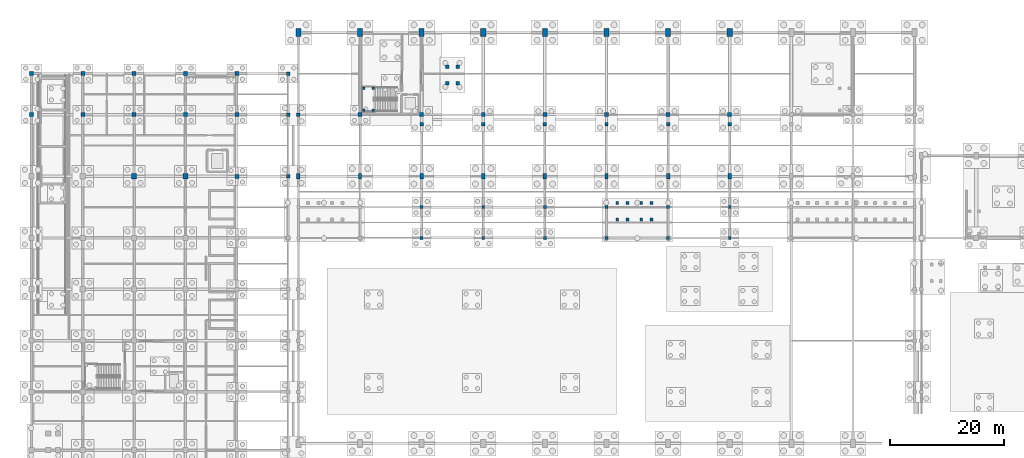
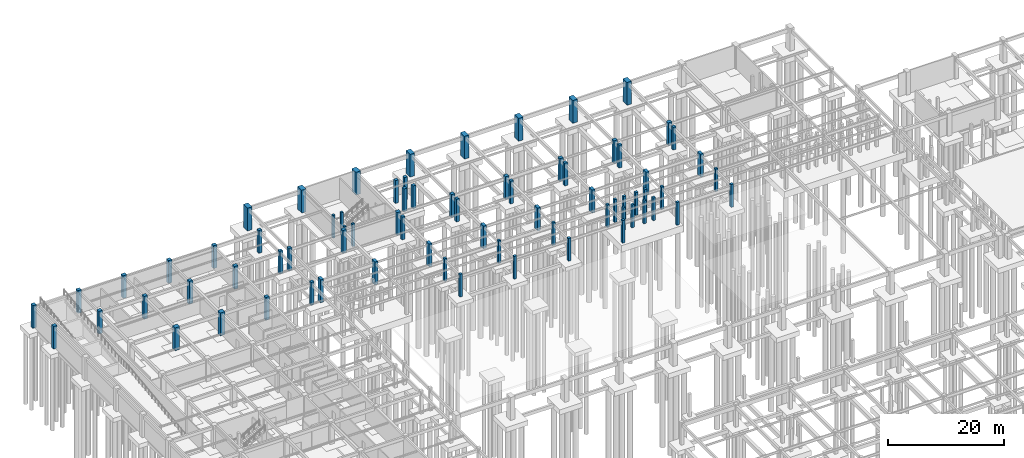
# One storey, part 12 of 33: 74 columns.
"""IFC4 building model written with IfcOpenShell, lengths in metres."""

import ifcopenshell
import ifcopenshell.guid

model = None  # the IFC model being written
_history = None  # IfcOwnerHistory: only IFC2X3 demands one
_inside = {}  # id of a spatial element -> (the spatial element, [elements in it])
_under = {}  # id of a project, library or spatial element -> (it, [spatial elements below it])
_declared = {}  # id of a project -> (the project, [libraries it declares])
_typed = {}  # id of a type object -> (the type object, [elements of that type])
_made_of = {}  # id of a material, layer set ... -> (it, [elements and type objects made of it])


def new_model(schema):
    """Start an empty IFC model of exactly this schema.

    Asked for "IFC4X3", IfcOpenShell would pick the latest addendum, in which some entities
    have other attributes; the version numbers below select the first issue.
    IFC2X3 requires an IfcOwnerHistory on every rooted entity: one is made here for all.
    """
    global model, _history
    if schema == "IFC4X3":
        model = ifcopenshell.file(schema_version=(4, 3, 0, 0))
    else:
        model = ifcopenshell.file(schema=schema)
    _inside.clear()
    _under.clear()
    _declared.clear()
    _typed.clear()
    _made_of.clear()
    _history = None
    if model.schema == "IFC2X3":
        org = make("IfcOrganization", Name="unknown")
        user = make(
            "IfcPersonAndOrganization",
            ThePerson=make("IfcPerson", FamilyName="unknown"),
            TheOrganization=org,
        )
        app = make(
            "IfcApplication",
            ApplicationDeveloper=org,
            Version="unknown",
            ApplicationFullName="unknown",
            ApplicationIdentifier="unknown",
        )
        _history = make(
            "IfcOwnerHistory",
            OwningUser=user,
            OwningApplication=app,
            ChangeAction="ADDED",
            CreationDate=0,
        )
    return model


def make(cls, **values):
    """One entity of the class cls with the attributes given. An attribute that is None is left unset."""
    return model.create_entity(
        cls, **{name: value for name, value in values.items() if value is not None}
    )


def rooted(cls, **values):
    """An entity with a GlobalId (a new one), such as an element, a storey or a relation."""
    return make(cls, GlobalId=ifcopenshell.guid.new(), OwnerHistory=_history, **values)


def si_unit(unit_type, name, prefix=None):
    """IfcSIUnit, for example si_unit("LENGTHUNIT", "METRE", prefix="MILLI")."""
    return make("IfcSIUnit", UnitType=unit_type, Prefix=prefix, Name=name)


def assignment(units):
    """IfcUnitAssignment: the units of a project."""
    return None if units is None else make("IfcUnitAssignment", Units=units)


def point(xyz):
    """IfcCartesianPoint."""
    return None if xyz is None else make("IfcCartesianPoint", Coordinates=xyz)


def direction(xyz):
    """IfcDirection."""
    return None if xyz is None else make("IfcDirection", DirectionRatios=xyz)


def frame(location, z_axis=None, x_axis=None):
    """IfcAxis2Placement3D, a coordinate frame: its origin and axes. An axis left out is left unset."""
    return make(
        "IfcAxis2Placement3D",
        Location=point(location),
        Axis=direction(z_axis),
        RefDirection=direction(x_axis),
    )


def frame_2d(location, x_axis=None):
    """IfcAxis2Placement2D, a coordinate frame in the plane: its origin and x axis."""
    return make(
        "IfcAxis2Placement2D", Location=point(location), RefDirection=direction(x_axis)
    )


def origin():
    """The frame at (0, 0, 0) with its axes left unset."""
    return frame((0.0, 0.0, 0.0))


def origin_2d():
    """The frame at (0, 0) in the plane with its x axis left unset."""
    return frame_2d((0.0, 0.0))


def place(relative_to, where):
    """IfcLocalPlacement: puts the frame where relative to a parent placement (None: the world)."""
    return make(
        "IfcLocalPlacement", PlacementRelTo=relative_to, RelativePlacement=where
    )


def context(
    kind, dimensions, precision=None, world=None, true_north=None, identifier=None
):
    """IfcGeometricRepresentationContext, for example the 3D "Model" context."""
    return make(
        "IfcGeometricRepresentationContext",
        ContextIdentifier=identifier,
        ContextType=kind,
        CoordinateSpaceDimension=dimensions,
        Precision=precision,
        WorldCoordinateSystem=world,
        TrueNorth=true_north,
    )


def subcontext(parent, identifier, kind, view, scale=None):
    """IfcGeometricRepresentationSubContext, for example "Body" below "Model"."""
    return make(
        "IfcGeometricRepresentationSubContext",
        ContextIdentifier=identifier,
        ContextType=kind,
        ParentContext=parent,
        TargetScale=scale,
        TargetView=view,
    )


def project(units=None, contexts=None):
    """IfcProject with its units and contexts."""
    return rooted(
        "IfcProject",
        Name="project",
        RepresentationContexts=contexts,
        UnitsInContext=assignment(units),
    )


def spatial(cls, under=None, at=None, **own):
    """A site, building, storey or space (cls), placed at a placement, below another one or the project."""
    s = rooted(cls, ObjectPlacement=at, **own)
    if under is not None:
        _under.setdefault(under.id(), (under, []))[1].append(s)
    return s


def profile(cls, at=None, kind="AREA", **sizes):
    """A parametric profile (cls). Its sizes go by their IFC names, for example OverallWidth=200.0."""
    return make(cls, ProfileType=kind, Position=at, **sizes)


def rectangle(**sizes):
    """IfcRectangleProfileDef."""
    return profile("IfcRectangleProfileDef", **sizes)


def extrude(swept, where, along, depth):
    """IfcExtrudedAreaSolid: the profile swept, set in the frame where, extruded along a direction by depth."""
    return make(
        "IfcExtrudedAreaSolid",
        SweptArea=swept,
        Position=where,
        ExtrudedDirection=direction(along),
        Depth=depth,
    )


def shape(context_of_items, identifier, shape_type, items):
    """IfcShapeRepresentation: the items that make up one representation, for example the "Body"."""
    return make(
        "IfcShapeRepresentation",
        ContextOfItems=context_of_items,
        RepresentationIdentifier=identifier,
        RepresentationType=shape_type,
        Items=items,
    )


def material(Name=None, Category=None):
    """IfcMaterial."""
    return make("IfcMaterial", Name=Name, Category=Category)


def material_profile(
    of_material, cross_section, Name=None, Category=None, Priority=None
):
    """IfcMaterialProfile: a cross section and its material."""
    return make(
        "IfcMaterialProfile",
        Name=Name,
        Material=of_material,
        Profile=cross_section,
        Priority=Priority,
        Category=Category,
    )


def profile_set(profiles, Name=None, composite=None):
    """IfcMaterialProfileSet."""
    return make(
        "IfcMaterialProfileSet",
        Name=Name,
        MaterialProfiles=profiles,
        CompositeProfile=composite,
    )


def made_of(thing, what):
    """Note that an element or type object is made of a material, layer set ...; save() writes the relation."""
    if what is not None:
        _made_of.setdefault(what.id(), (what, []))[1].append(thing)
    return thing


def type_object(cls, material=None, **own):
    """A type object (cls), such as IfcWallType, which elements share."""
    return made_of(rooted(cls, **own), material)


def element(
    cls,
    number,
    at=None,
    inside=None,
    cuts=None,
    type_object=None,
    material=None,
    context=None,
    identifier="Body",
    shape_type=None,
    held_by="IfcProductDefinitionShape",
    body=None,
    shapes=None,
    **own,
):
    """One element of the class cls, such as IfcWall. Its Tag is "e" and its number.

    at: its placement. inside: the storey or other place that contains it. cuts: it is an
    opening in that element (IfcRelVoidsElement). A single representation is given by context,
    identifier, shape_type and body (its items); several are given by shapes. held_by: the class
    of the entity that holds the representations. save() writes the other relations.
    """
    e = rooted(cls, Tag="e%d" % number, ObjectPlacement=at, **own)
    if body is not None:
        shapes = [shape(context, identifier, shape_type, body)]
    if shapes is not None:
        e.Representation = make(held_by, Representations=shapes)
    if inside is not None:
        _inside.setdefault(inside.id(), (inside, []))[1].append(e)
    if cuts is not None:
        rooted(
            "IfcRelVoidsElement", RelatingBuildingElement=cuts, RelatedOpeningElement=e
        )
    if type_object is not None:
        _typed.setdefault(type_object.id(), (type_object, []))[1].append(e)
    return made_of(e, material)


def aggregate(whole, parts):
    """IfcRelAggregates: a whole, such as a stair, and the parts it consists of."""
    return rooted("IfcRelAggregates", RelatingObject=whole, RelatedObjects=parts)


def save(model, path):
    """Write the relations noted so far, then the file.

    IfcRelAggregates (storeys below a building ...), IfcRelContainedInSpatialStructure (elements
    in a storey), IfcRelDefinesByType, IfcRelAssociatesMaterial and IfcRelDeclares: one each for
    every whole, place, type object, material and project.
    """
    for whole, parts in _under.values():
        aggregate(whole, parts)
    for where, things in _inside.values():
        rooted(
            "IfcRelContainedInSpatialStructure",
            RelatedElements=things,
            RelatingStructure=where,
        )
    for kind, things in _typed.values():
        rooted("IfcRelDefinesByType", RelatedObjects=things, RelatingType=kind)
    for what, things in _made_of.values():
        rooted("IfcRelAssociatesMaterial", RelatedObjects=things, RelatingMaterial=what)
    for by, libraries in _declared.values():
        rooted("IfcRelDeclares", RelatingContext=by, RelatedDefinitions=libraries)
    model.write(path)


model = new_model("IFC4")

# Units and contexts
model_context = context("Model", 3, precision=1e-05, world=origin(), true_north=direction((0.0, 1.0)))
body_context = subcontext(model_context, "Body", "Model", "MODEL_VIEW")
ifc_project = project(units=[si_unit("LENGTHUNIT", "METRE"), si_unit("AREAUNIT", "SQUARE_METRE"), si_unit("VOLUMEUNIT", "CUBIC_METRE"), si_unit("PLANEANGLEUNIT", "RADIAN"), si_unit("MASSUNIT", "GRAM", prefix="KILO")], contexts=[model_context])

# Site, building, storey
site_placement = place(None, origin())
site = spatial("IfcSite", under=ifc_project, at=site_placement, CompositionType="ELEMENT")
building_placement = place(site_placement, origin())
building = spatial("IfcBuilding", under=site, at=building_placement, Name="Suirenkawa Promenade Aquatics Centre", CompositionType="ELEMENT")
storey_placement = place(building_placement, frame((0.0, 0.0, -4.800048828125)))
storey = spatial("IfcBuildingStorey", under=building, at=storey_placement, Name="B1", CompositionType="ELEMENT", Elevation=-4.800048828125)

# Columns
ifc_material = material(Name="Concrete M40", Category="concrete")
ifc_material_profile_1 = material_profile(ifc_material, rectangle(XDim=0.60009765625, YDim=1.0, at=origin_2d()), Name="RC PIER 600x1000", Category="concrete")
ifc_profile_set_1 = profile_set([ifc_material_profile_1], Name="Concrete M40")
column_type_1 = type_object("IfcColumnType", Name="CT-PIER-600x1000", PredefinedType="COLUMN", material=ifc_profile_set_1)
for number, where, z_axis, x_axis, name in (
    (1, (46.800048828125, 97.199951171875, 0.0), (0.0, 0.0, 1.0), (1.0, 0.0, 0.0), "Column CL-07 COL-0103"),
    (2, (57.60009765625, 97.199951171875, 0.0), (0.0, 0.0, 1.0), (1.0, 0.0, 0.0), "Column CL-07 COL-0109"),
    (3, (68.39990234375, 97.199951171875, 0.0), (0.0, 0.0, 1.0), (1.0, 0.0, 0.0), "Column CL-07 COL-0112"),
    (4, (79.199951171875, 97.199951171875, 0.0), (0.0, 0.0, 1.0), (1.0, 0.0, 0.0), "Column CL-07 COL-0118"),
    (5, (90.0, 97.199951171875, 0.0), (0.0, 0.0, 1.0), (1.0, 0.0, 0.0), "Column CL-07 COL-0124"),
    (6, (100.800048828125, 97.199951171875, 0.0), (0.0, 0.0, 1.0), (1.0, 0.0, 0.0), "Column CL-07 COL-0130"),
    (7, (111.60009765625, 97.199951171875, 0.0), (0.0, 0.0, 1.0), (1.0, 0.0, 0.0), "Column CL-07 COL-0133"),
    (8, (122.39990234375, 97.199951171875, 0.0), (0.0, 0.0, 1.0), (1.0, 0.0, 0.0), "Column CL-07 COL-0139"),
):
    element("IfcColumn", number, at=place(storey_placement, frame(where, z_axis=z_axis, x_axis=x_axis)), inside=storey, type_object=column_type_1, Name=name, PredefinedType="COLUMN", context=body_context, shape_type="SweptSolid", body=[
        extrude(rectangle(XDim=0.60009765625, YDim=1.0, at=origin_2d()), origin(), (0.0, 0.0, 1.0), 4.800048828125),
    ])
ifc_material_profile_2 = material_profile(ifc_material, rectangle(XDim=0.89990234375, YDim=1.39990234375, at=origin_2d()), Name="RC PIER 900x1400", Category="concrete")
ifc_profile_set_2 = profile_set([ifc_material_profile_2], Name="Concrete M40")
column_type_2 = type_object("IfcColumnType", Name="CT-PIER-900x1400", PredefinedType="COLUMN", material=ifc_profile_set_2)
for number, where, z_axis, x_axis, name in (
    (9, (68.39990234375, 122.39990234375, 0.0), (0.0, 0.0, 1.0), (1.0, 0.0, 0.0), "Column CL-09 COL-0001"),
    (10, (111.60009765625, 122.39990234375, 0.0), (0.0, 0.0, 1.0), (1.0, 0.0, 0.0), "Column CL-09 COL-0006"),
    (11, (46.800048828125, 122.39990234375, 0.0), (0.0, 0.0, 1.0), (1.0, 0.0, 0.0), "Column CL-09 COL-0036"),
    (12, (57.60009765625, 122.39990234375, 0.0), (0.0, 0.0, 1.0), (1.0, 0.0, 0.0), "Column CL-09 COL-0040"),
    (13, (79.199951171875, 122.39990234375, 0.0), (0.0, 0.0, 1.0), (1.0, 0.0, 0.0), "Column CL-09 COL-0048"),
    (14, (90.0, 122.39990234375, 0.0), (0.0, 0.0, 1.0), (1.0, 0.0, 0.0), "Column CL-09 COL-0052"),
    (15, (100.800048828125, 122.39990234375, 0.0), (0.0, 0.0, 1.0), (1.0, 0.0, 0.0), "Column CL-09 COL-0056"),
    (16, (122.39990234375, 122.39990234375, 0.0), (0.0, 0.0, 1.0), (1.0, 0.0, 0.0), "Column CL-09 COL-0064"),
):
    element("IfcColumn", number, at=place(storey_placement, frame(where, z_axis=z_axis, x_axis=x_axis)), inside=storey, type_object=column_type_2, Name=name, PredefinedType="COLUMN", context=body_context, shape_type="SweptSolid", body=[
        extrude(rectangle(XDim=0.89990234375, YDim=1.39990234375, at=origin_2d()), origin(), (0.0, 0.0, 1.0), 4.800048828125),
    ])
ifc_material_profile_3 = material_profile(ifc_material, rectangle(XDim=0.449951171875, YDim=0.449951171875, at=origin_2d()), Name="RC COL 450x450", Category="concrete")
ifc_profile_set_3 = profile_set([ifc_material_profile_3], Name="Concrete M40")
column_type_3 = type_object("IfcColumnType", Name="CT-RC-450", PredefinedType="COLUMN", material=ifc_profile_set_3)
for number, where, z_axis, x_axis, name in (
    (17, (58.25, 108.77001953125, 0.0), (0.0, 0.0, 1.0), (1.0, 0.0, 0.0), "Core stair landing column CL-01 COL-CR-C3-B1-1"),
    (18, (59.89990234375, 108.77001953125, 0.0), (0.0, 0.0, 1.0), (1.0, 0.0, 0.0), "Core stair landing column CL-01 COL-CR-C3-B1-2"),
    (19, (58.25, 112.659912109375, 0.0), (0.0, 0.0, 1.0), (1.0, 0.0, 0.0), "Core stair landing column CL-01 COL-CR-C3-B1-3"),
    (20, (59.89990234375, 112.659912109375, 0.0), (0.0, 0.0, 1.0), (1.0, 0.0, 0.0), "Core stair landing column CL-01 COL-CR-C3-B1-4"),
):
    element("IfcColumn", number, at=place(storey_placement, frame(where, z_axis=z_axis, x_axis=x_axis)), inside=storey, type_object=column_type_3, Name=name, PredefinedType="COLUMN", context=body_context, shape_type="SweptSolid", body=[
        extrude(rectangle(XDim=0.449951171875, YDim=0.449951171875, at=origin_2d()), origin(), (0.0, 0.0, 1.0), 4.800048828125),
    ])
ifc_material_profile_4 = material_profile(ifc_material, rectangle(XDim=0.5, YDim=0.5, at=origin_2d()), Name="RC COL 500x500", Category="concrete")
ifc_profile_set_4 = profile_set([ifc_material_profile_4], Name="Concrete M40")
column_type_4 = type_object("IfcColumnType", Name="CT-RC-500", PredefinedType="COLUMN", material=ifc_profile_set_4)
for number, where, z_axis, x_axis, name in (
    (21, (68.39990234375, 86.39990234375, 0.0), (0.0, 0.0, 1.0), (1.0, 0.0, 0.0), "Column CL-02 COL-0955"),
    (22, (68.39990234375, 91.800048828125, 0.0), (0.0, 0.0, 1.0), (1.0, 0.0, 0.0), "Column CL-02 COL-0957"),
    (23, (79.199951171875, 86.39990234375, 0.0), (0.0, 0.0, 1.0), (1.0, 0.0, 0.0), "Column CL-02 COL-0959"),
    (24, (79.199951171875, 91.800048828125, 0.0), (0.0, 0.0, 1.0), (1.0, 0.0, 0.0), "Column CL-02 COL-0961"),
    (25, (90.0, 86.39990234375, 0.0), (0.0, 0.0, 1.0), (1.0, 0.0, 0.0), "Column CL-02 COL-0963"),
    (26, (90.0, 91.800048828125, 0.0), (0.0, 0.0, 1.0), (1.0, 0.0, 0.0), "Column CL-02 COL-0965"),
    (27, (100.800048828125, 86.39990234375, 0.0), (0.0, 0.0, 1.0), (1.0, 0.0, 0.0), "Column CL-02 COL-0967"),
    (28, (100.800048828125, 91.800048828125, 0.0), (0.0, 0.0, 1.0), (1.0, 0.0, 0.0), "Column CL-02 COL-0969"),
    (29, (111.60009765625, 86.39990234375, 0.0), (0.0, 0.0, 1.0), (1.0, 0.0, 0.0), "Column CL-02 COL-0971"),
    (30, (111.60009765625, 91.800048828125, 0.0), (0.0, 0.0, 1.0), (1.0, 0.0, 0.0), "Column CL-02 COL-0973"),
    (31, (122.39990234375, 86.39990234375, 0.0), (0.0, 0.0, 1.0), (1.0, 0.0, 0.0), "Column CL-02 COL-0975"),
    (32, (122.39990234375, 91.800048828125, 0.0), (0.0, 0.0, 1.0), (1.0, 0.0, 0.0), "Column CL-02 COL-0977"),
    (33, (102.695068359375, 89.625, 0.0), (0.0, 0.0, 1.0), (1.0, 0.0, 0.0), "Column CL-02 COL-1007"),
    (34, (102.695068359375, 92.52490234375, 0.0), (0.0, 0.0, 1.0), (1.0, 0.0, 0.0), "Column CL-02 COL-1009"),
    (35, (104.5048828125, 89.625, 0.0), (0.0, 0.0, 1.0), (1.0, 0.0, 0.0), "Column CL-02 COL-1011"),
    (36, (104.5048828125, 92.52490234375, 0.0), (0.0, 0.0, 1.0), (1.0, 0.0, 0.0), "Column CL-02 COL-1013"),
    (37, (106.89501953125, 89.625, 0.0), (0.0, 0.0, 1.0), (1.0, 0.0, 0.0), "Column CL-02 COL-1015"),
    (38, (106.89501953125, 92.52490234375, 0.0), (0.0, 0.0, 1.0), (1.0, 0.0, 0.0), "Column CL-02 COL-1017"),
    (39, (108.705078125, 89.625, 0.0), (0.0, 0.0, 1.0), (1.0, 0.0, 0.0), "Column CL-02 COL-1019"),
    (40, (108.705078125, 92.52490234375, 0.0), (0.0, 0.0, 1.0), (1.0, 0.0, 0.0), "Column CL-02 COL-1021"),
):
    element("IfcColumn", number, at=place(storey_placement, frame(where, z_axis=z_axis, x_axis=x_axis)), inside=storey, type_object=column_type_4, Name=name, PredefinedType="COLUMN", context=body_context, shape_type="SweptSolid", body=[
        extrude(rectangle(XDim=0.5, YDim=0.5, at=origin_2d()), origin(), (0.0, 0.0, 1.0), 4.800048828125),
    ])
ifc_material_profile_5 = material_profile(ifc_material, rectangle(XDim=0.60009765625, YDim=0.60009765625, at=origin_2d()), Name="RC COL 600x600", Category="concrete")
ifc_profile_set_5 = profile_set([ifc_material_profile_5], Name="Concrete M40")
column_type_5 = type_object("IfcColumnType", Name="CT-RC-600", PredefinedType="COLUMN", material=ifc_profile_set_5)
for number, where, z_axis, x_axis, name in (
    (41, (45.0, 97.199951171875, 0.0), (0.0, 0.0, 1.0), (1.0, 0.0, 0.0), "Column CL-03 COL-0746"),
    (42, (45.0, 108.0, 0.0), (0.0, 0.0, 1.0), (1.0, 0.0, 0.0), "Column CL-03 COL-0749"),
    (43, (45.0, 115.199951171875, 0.0), (0.0, 0.0, 1.0), (1.0, 0.0, 0.0), "Column CL-03 COL-0752"),
    (44, (46.800048828125, 108.0, 0.0), (0.0, 0.0, 1.0), (1.0, 0.0, 0.0), "Column CL-03 COL-0755"),
    (45, (68.39990234375, 106.35009765625, 0.0), (0.0, 0.0, 1.0), (1.0, 0.0, 0.0), "Column CL-03 COL-0758"),
    (46, (79.199951171875, 106.35009765625, 0.0), (0.0, 0.0, 1.0), (1.0, 0.0, 0.0), "Column CL-03 COL-0761"),
    (47, (90.0, 106.35009765625, 0.0), (0.0, 0.0, 1.0), (1.0, 0.0, 0.0), "Column CL-03 COL-0764"),
    (48, (100.800048828125, 106.35009765625, 0.0), (0.0, 0.0, 1.0), (1.0, 0.0, 0.0), "Column CL-03 COL-0767"),
    (49, (111.60009765625, 106.35009765625, 0.0), (0.0, 0.0, 1.0), (1.0, 0.0, 0.0), "Column CL-03 COL-0770"),
    (50, (122.39990234375, 106.35009765625, 0.0), (0.0, 0.0, 1.0), (1.0, 0.0, 0.0), "Column CL-03 COL-0773"),
    (51, (72.89501953125, 113.52490234375, 0.0), (0.0, 0.0, 1.0), (1.0, 0.0, 0.0), "Column CL-03 COL-0908"),
    (52, (72.89501953125, 116.425048828125, 0.0), (0.0, 0.0, 1.0), (1.0, 0.0, 0.0), "Column CL-03 COL-0911"),
    (53, (74.705078125, 113.52490234375, 0.0), (0.0, 0.0, 1.0), (1.0, 0.0, 0.0), "Column CL-03 COL-0914"),
    (54, (74.705078125, 116.425048828125, 0.0), (0.0, 0.0, 1.0), (1.0, 0.0, 0.0), "Column CL-03 COL-0917"),
):
    element("IfcColumn", number, at=place(storey_placement, frame(where, z_axis=z_axis, x_axis=x_axis)), inside=storey, type_object=column_type_5, Name=name, PredefinedType="COLUMN", context=body_context, shape_type="SweptSolid", body=[
        extrude(rectangle(XDim=0.60009765625, YDim=0.60009765625, at=origin_2d()), origin(), (0.0, 0.0, 1.0), 4.800048828125),
    ])
ifc_material_profile_6 = material_profile(ifc_material, rectangle(XDim=0.699951171875, YDim=0.699951171875, at=origin_2d()), Name="RC COL 700x700", Category="concrete")
ifc_profile_set_6 = profile_set([ifc_material_profile_6], Name="Concrete M40")
column_type_6 = type_object("IfcColumnType", Name="CT-RC-700", PredefinedType="COLUMN", material=ifc_profile_set_6)
for number, where, z_axis, x_axis, name in (
    (55, (0.0, 108.0, 0.0), (0.0, 0.0, 1.0), (1.0, 0.0, 0.0), "Column CL-04 COL-0492"),
    (56, (0.0, 115.199951171875, 0.0), (0.0, 0.0, 1.0), (1.0, 0.0, 0.0), "Column CL-04 COL-0496"),
    (57, (9.0, 108.0, 0.0), (0.0, 0.0, 1.0), (1.0, 0.0, 0.0), "Column CL-04 COL-0500"),
    (58, (9.0, 115.199951171875, 0.0), (0.0, 0.0, 1.0), (1.0, 0.0, 0.0), "Column CL-04 COL-0504"),
    (59, (18.0, 108.0, 0.0), (0.0, 0.0, 1.0), (1.0, 0.0, 0.0), "Column CL-04 COL-0508"),
    (60, (18.0, 115.199951171875, 0.0), (0.0, 0.0, 1.0), (1.0, 0.0, 0.0), "Column CL-04 COL-0512"),
    (61, (27.0, 108.0, 0.0), (0.0, 0.0, 1.0), (1.0, 0.0, 0.0), "Column CL-04 COL-0516"),
    (62, (27.0, 115.199951171875, 0.0), (0.0, 0.0, 1.0), (1.0, 0.0, 0.0), "Column CL-04 COL-0520"),
    (63, (36.0, 97.199951171875, 0.0), (0.0, 0.0, 1.0), (1.0, 0.0, 0.0), "Column CL-04 COL-0564"),
    (64, (36.0, 108.0, 0.0), (0.0, 0.0, 1.0), (1.0, 0.0, 0.0), "Column CL-04 COL-0568"),
    (65, (36.0, 115.199951171875, 0.0), (0.0, 0.0, 1.0), (1.0, 0.0, 0.0), "Column CL-04 COL-0572"),
    (66, (57.60009765625, 108.0, 0.0), (0.0, 0.0, 1.0), (1.0, 0.0, 0.0), "Column CL-04 COL-0576"),
    (67, (68.39990234375, 108.0, 0.0), (0.0, 0.0, 1.0), (1.0, 0.0, 0.0), "Column CL-04 COL-0580"),
    (68, (79.199951171875, 108.0, 0.0), (0.0, 0.0, 1.0), (1.0, 0.0, 0.0), "Column CL-04 COL-0584"),
    (69, (90.0, 108.0, 0.0), (0.0, 0.0, 1.0), (1.0, 0.0, 0.0), "Column CL-04 COL-0588"),
    (70, (100.800048828125, 108.0, 0.0), (0.0, 0.0, 1.0), (1.0, 0.0, 0.0), "Column CL-04 COL-0592"),
    (71, (111.60009765625, 108.0, 0.0), (0.0, 0.0, 1.0), (1.0, 0.0, 0.0), "Column CL-04 COL-0596"),
    (72, (122.39990234375, 108.0, 0.0), (0.0, 0.0, 1.0), (1.0, 0.0, 0.0), "Column CL-04 COL-0600"),
):
    element("IfcColumn", number, at=place(storey_placement, frame(where, z_axis=z_axis, x_axis=x_axis)), inside=storey, type_object=column_type_6, Name=name, PredefinedType="COLUMN", context=body_context, shape_type="SweptSolid", body=[
        extrude(rectangle(XDim=0.699951171875, YDim=0.699951171875, at=origin_2d()), origin(), (0.0, 0.0, 1.0), 4.800048828125),
    ])
ifc_material_profile_7 = material_profile(ifc_material, rectangle(XDim=0.89990234375, YDim=0.89990234375, at=origin_2d()), Name="RC COL 900x900", Category="concrete")
ifc_profile_set_7 = profile_set([ifc_material_profile_7], Name="Concrete M40")
column_type_7 = type_object("IfcColumnType", Name="CT-RC-900", PredefinedType="COLUMN", material=ifc_profile_set_7)
for number, where, z_axis, x_axis, name in (
    (73, (18.0, 97.199951171875, 0.0), (0.0, 0.0, 1.0), (1.0, 0.0, 0.0), "Column CL-06 COL-0392"),
    (74, (27.0, 97.199951171875, 0.0), (0.0, 0.0, 1.0), (1.0, 0.0, 0.0), "Column CL-06 COL-0407"),
):
    element("IfcColumn", number, at=place(storey_placement, frame(where, z_axis=z_axis, x_axis=x_axis)), inside=storey, type_object=column_type_7, Name=name, PredefinedType="COLUMN", context=body_context, shape_type="SweptSolid", body=[
        extrude(rectangle(XDim=0.89990234375, YDim=0.89990234375, at=origin_2d()), origin(), (0.0, 0.0, 1.0), 4.800048828125),
    ])

save(model, "model.ifc")
